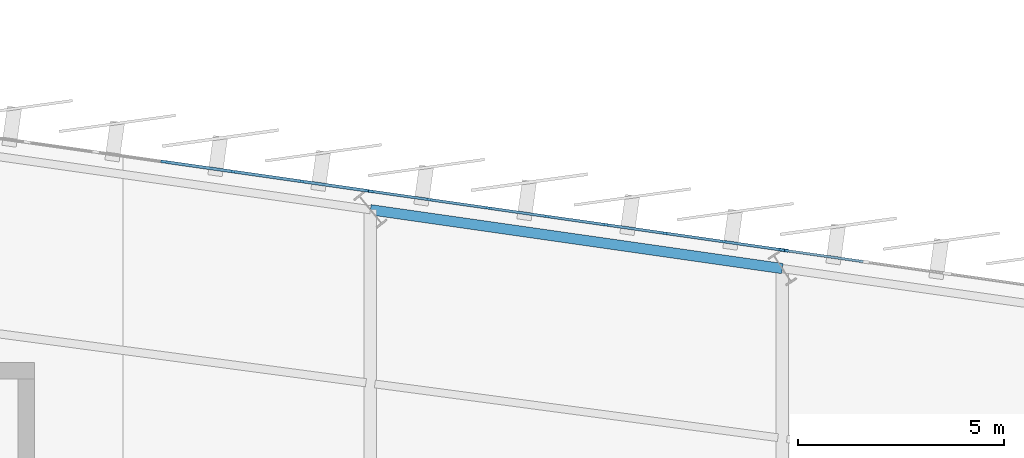
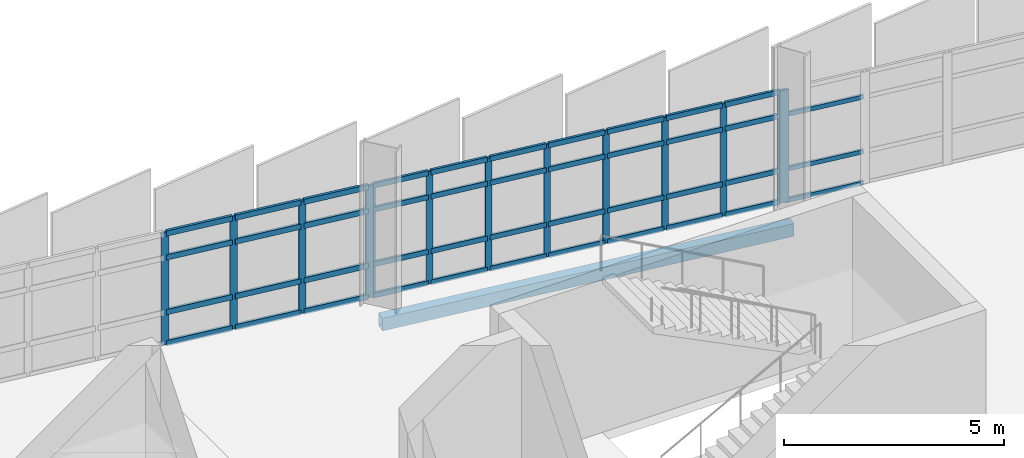
# One storey, part 76 of 125: 56 members, 1 beam, 3 elements without a shape of their own.
"""IFC4 building model written with IfcOpenShell, lengths in metres."""

from ifc_helpers import new_model, si_unit, direction, frame, origin, origin_2d, place, context, subcontext, project, spatial, rectangle, hollow_rectangle, extrude, material, layer, layer_set, material_profile, profile_set, type_object, element, aggregate, save


model = new_model("IFC4")

# Units and contexts
model_context = context("Model", 3, precision=1e-05, world=origin(), true_north=direction((0.0, 1.0)))
body_context = subcontext(model_context, "Body", "Model", "MODEL_VIEW")
ifc_project = project(units=[si_unit("LENGTHUNIT", "METRE"), si_unit("AREAUNIT", "SQUARE_METRE"), si_unit("VOLUMEUNIT", "CUBIC_METRE"), si_unit("PLANEANGLEUNIT", "RADIAN"), si_unit("MASSUNIT", "GRAM", prefix="KILO")], contexts=[model_context])

# Site, building, storey
site_placement = place(None, origin())
site = spatial("IfcSite", under=ifc_project, at=site_placement, CompositionType="ELEMENT")
building_placement = place(site_placement, origin())
building = spatial("IfcBuilding", under=site, at=building_placement, Name="Sohan Crest Arena", CompositionType="ELEMENT")
storey_placement = place(building_placement, frame((0.0, 0.0, 9.0)))
storey = spatial("IfcBuildingStorey", under=building, at=storey_placement, Name="L02", CompositionType="ELEMENT", Elevation=9.0)

# Curtain wall, members
ifc_material_1 = material(Name="Thermally broken anodised aluminium", Category="aluminium")
ifc_layer_1 = layer(ifc_material_1, 0.18994140625, Name="Thermally broken anodised aluminium")
ifc_layer_set_1 = layer_set([ifc_layer_1], Name="Thermally broken anodised aluminium")
curtain_wall_type_1 = type_object("IfcCurtainWallType", Name="ARC-CW05", PredefinedType="NOTDEFINED", material=ifc_layer_set_1)
curtain_wall_1_placement = place(storey_placement, origin())
curtain_wall_1 = element("IfcCurtainWall", 1, at=curtain_wall_1_placement, inside=storey, type_object=curtain_wall_type_1, Name="Unitised curtain wall CW-074", PredefinedType="NOTDEFINED")
ifc_material_profile_1 = material_profile(ifc_material_1, rectangle(XDim=0.06005859375, YDim=0.159912109375, at=origin_2d()), Name="ALU-MULL 60x160")
ifc_profile_set_1 = profile_set([ifc_material_profile_1], Name="Thermally broken anodised aluminium")
member_type_1 = type_object("IfcMemberType", Name="ARC-CW-ML01", PredefinedType="MULLION", material=ifc_profile_set_1)
member_1_placement = place(storey_placement, frame((157.97021484375, 117.88330078125, 0.0), z_axis=(0.0, 0.0, 1.0), x_axis=(-0.141365918403, -0.989957411768, 0.0)))
member_1 = element("IfcMember", 2, at=member_1_placement, type_object=member_type_1, Name="CW-074 mullion 1", PredefinedType="MULLION", context=body_context, shape_type="SweptSolid", body=[
    extrude(rectangle(XDim=0.06005859375, YDim=0.159912109375, at=origin_2d()), origin(), (0.0, 0.0, 1.0), 3.1201171875),
])
member_2_placement = place(storey_placement, frame((156.571533203125, 118.0830078125, 0.0), z_axis=(0.0, 0.0, 1.0), x_axis=(-0.141365918403, -0.989957411768, 0.0)))
member_2 = element("IfcMember", 3, at=member_2_placement, type_object=member_type_1, Name="CW-074 mullion 2", PredefinedType="MULLION", context=body_context, shape_type="SweptSolid", body=[
    extrude(rectangle(XDim=0.06005859375, YDim=0.159912109375, at=origin_2d()), origin(), (0.0, 0.0, 1.0), 3.1201171875),
])
member_3_placement = place(storey_placement, frame((155.142822265625, 118.287109375, 0.0), z_axis=(0.0, 0.0, 1.0), x_axis=(-0.141365918403, -0.989957411768, 0.0)))
member_3 = element("IfcMember", 4, at=member_3_placement, type_object=member_type_1, Name="CW-074 mullion 3", PredefinedType="MULLION", context=body_context, shape_type="SweptSolid", body=[
    extrude(rectangle(XDim=0.06005859375, YDim=0.159912109375, at=origin_2d()), origin(), (0.0, 0.0, 1.0), 3.1201171875),
])
member_4_placement = place(storey_placement, frame((153.71435546875, 118.490966796875, 0.0), z_axis=(0.0, 0.0, 1.0), x_axis=(-0.141365918403, -0.989957411768, 0.0)))
member_4 = element("IfcMember", 5, at=member_4_placement, type_object=member_type_1, Name="CW-074 mullion 4", PredefinedType="MULLION", context=body_context, shape_type="SweptSolid", body=[
    extrude(rectangle(XDim=0.06005859375, YDim=0.159912109375, at=origin_2d()), origin(), (0.0, 0.0, 1.0), 3.1201171875),
])
member_5_placement = place(storey_placement, frame((152.28564453125, 118.695068359375, 0.0), z_axis=(0.0, 0.0, 1.0), x_axis=(-0.141365918403, -0.989957411768, 0.0)))
member_5 = element("IfcMember", 6, at=member_5_placement, type_object=member_type_1, Name="CW-074 mullion 5", PredefinedType="MULLION", context=body_context, shape_type="SweptSolid", body=[
    extrude(rectangle(XDim=0.06005859375, YDim=0.159912109375, at=origin_2d()), origin(), (0.0, 0.0, 1.0), 3.1201171875),
])
member_6_placement = place(storey_placement, frame((150.857177734375, 118.89892578125, 0.0), z_axis=(0.0, 0.0, 1.0), x_axis=(-0.141365918403, -0.989957411768, 0.0)))
member_6 = element("IfcMember", 7, at=member_6_placement, type_object=member_type_1, Name="CW-074 mullion 6", PredefinedType="MULLION", context=body_context, shape_type="SweptSolid", body=[
    extrude(rectangle(XDim=0.06005859375, YDim=0.159912109375, at=origin_2d()), origin(), (0.0, 0.0, 1.0), 3.1201171875),
])
member_7_placement = place(storey_placement, frame((149.428466796875, 119.10302734375, 0.0), z_axis=(0.0, 0.0, 1.0), x_axis=(-0.141365918403, -0.989957411768, 0.0)))
member_7 = element("IfcMember", 8, at=member_7_placement, type_object=member_type_1, Name="CW-074 mullion 7", PredefinedType="MULLION", context=body_context, shape_type="SweptSolid", body=[
    extrude(rectangle(XDim=0.06005859375, YDim=0.159912109375, at=origin_2d()), origin(), (0.0, 0.0, 1.0), 3.1201171875),
])
member_8_placement = place(storey_placement, frame((148.02978515625, 119.302734375, 0.0), z_axis=(0.0, 0.0, 1.0), x_axis=(-0.141365918403, -0.989957411768, 0.0)))
member_8 = element("IfcMember", 9, at=member_8_placement, type_object=member_type_1, Name="CW-074 mullion 8", PredefinedType="MULLION", context=body_context, shape_type="SweptSolid", body=[
    extrude(rectangle(XDim=0.06005859375, YDim=0.159912109375, at=origin_2d()), origin(), (0.0, 0.0, 1.0), 3.1201171875),
])

ifc_layer_2 = layer(ifc_material_1, 0.2099609375, Name="Thermally broken anodised aluminium")
ifc_layer_set_2 = layer_set([ifc_layer_2], Name="Thermally broken anodised aluminium")
curtain_wall_type_2 = type_object("IfcCurtainWallType", Name="ARC-CW06", PredefinedType="NOTDEFINED", material=ifc_layer_set_2)
curtain_wall_2_placement = place(storey_placement, origin())
curtain_wall_2 = element("IfcCurtainWall", 10, at=curtain_wall_2_placement, inside=storey, type_object=curtain_wall_type_2, Name="Unitised curtain wall CW-075", PredefinedType="NOTDEFINED")
ifc_material_profile_2 = material_profile(ifc_material_1, rectangle(XDim=0.06494140625, YDim=0.179931640625, at=origin_2d()), Name="ALU-MULL 65x180")
ifc_profile_set_2 = profile_set([ifc_material_profile_2], Name="Thermally broken anodised aluminium")
member_type_2 = type_object("IfcMemberType", Name="ARC-CW-ML02", PredefinedType="MULLION", material=ifc_profile_set_2)
member_9_placement = place(storey_placement, frame((147.9677734375, 119.3115234375, 0.0), z_axis=(0.0, 0.0, 1.0), x_axis=(-0.141462933734, -0.989943553128, 0.0)))
member_9 = element("IfcMember", 11, at=member_9_placement, type_object=member_type_2, Name="CW-075 mullion 1", PredefinedType="MULLION", context=body_context, shape_type="SweptSolid", body=[
    extrude(rectangle(XDim=0.06494140625, YDim=0.179931640625, at=origin_2d()), origin(), (0.0, 0.0, 1.0), 3.1201171875),
])
member_10_placement = place(storey_placement, frame((146.333251953125, 119.545166015625, 0.0), z_axis=(0.0, 0.0, 1.0), x_axis=(-0.141462933734, -0.989943553128, 0.0)))
member_10 = element("IfcMember", 12, at=member_10_placement, type_object=member_type_2, Name="CW-075 mullion 2", PredefinedType="MULLION", context=body_context, shape_type="SweptSolid", body=[
    extrude(rectangle(XDim=0.06494140625, YDim=0.179931640625, at=origin_2d()), origin(), (0.0, 0.0, 1.0), 3.1201171875),
])
member_11_placement = place(storey_placement, frame((144.666748046875, 119.783447265625, 0.0), z_axis=(0.0, 0.0, 1.0), x_axis=(-0.141462933734, -0.989943553128, 0.0)))
member_11 = element("IfcMember", 13, at=member_11_placement, type_object=member_type_2, Name="CW-075 mullion 3", PredefinedType="MULLION", context=body_context, shape_type="SweptSolid", body=[
    extrude(rectangle(XDim=0.06494140625, YDim=0.179931640625, at=origin_2d()), origin(), (0.0, 0.0, 1.0), 3.1201171875),
])
member_12_placement = place(storey_placement, frame((143.0, 120.021484375, 0.0), z_axis=(0.0, 0.0, 1.0), x_axis=(-0.141462933734, -0.989943553128, 0.0)))
member_12 = element("IfcMember", 14, at=member_12_placement, type_object=member_type_2, Name="CW-075 mullion 4", PredefinedType="MULLION", context=body_context, shape_type="SweptSolid", body=[
    extrude(rectangle(XDim=0.06494140625, YDim=0.179931640625, at=origin_2d()), origin(), (0.0, 0.0, 1.0), 3.1201171875),
])

ifc_layer_3 = layer(ifc_material_1, 0.239990234375, Name="Thermally broken anodised aluminium")
ifc_layer_set_3 = layer_set([ifc_layer_3], Name="Thermally broken anodised aluminium")
curtain_wall_type_3 = type_object("IfcCurtainWallType", Name="ARC-CW04", PredefinedType="NOTDEFINED", material=ifc_layer_set_3)
curtain_wall_3_placement = place(storey_placement, origin())
curtain_wall_3 = element("IfcCurtainWall", 15, at=curtain_wall_3_placement, inside=storey, type_object=curtain_wall_type_3, Name="Unitised curtain wall CW-073", PredefinedType="NOTDEFINED")
ifc_material_profile_3 = material_profile(ifc_material_1, rectangle(XDim=0.074951171875, YDim=0.219970703125, at=origin_2d()), Name="ALU-MULL 75x220")
ifc_profile_set_3 = profile_set([ifc_material_profile_3], Name="Thermally broken anodised aluminium")
member_type_3 = type_object("IfcMemberType", Name="ARC-CW-ML04", PredefinedType="MULLION", material=ifc_profile_set_3)
member_13_placement = place(storey_placement, frame((158.037109375, 117.873779296875, 0.0), z_axis=(0.0, 0.0, 1.0), x_axis=(-0.141462933734, -0.989943553128, 0.0)))
member_13 = element("IfcMember", 16, at=member_13_placement, type_object=member_type_3, Name="CW-073 mullion 6", PredefinedType="MULLION", context=body_context, shape_type="SweptSolid", body=[
    extrude(rectangle(XDim=0.074951171875, YDim=0.219970703125, at=origin_2d()), origin(), (0.0, 0.0, 1.0), 3.1201171875),
])
ifc_material_profile_4 = material_profile(ifc_material_1, rectangle(XDim=0.06005859375, YDim=0.1201171875, at=origin_2d()), Name="ALU-TRAN 60x120")
ifc_profile_set_4 = profile_set([ifc_material_profile_4], Name="Thermally broken anodised aluminium")
member_type_4 = type_object("IfcMemberType", Name="ARC-CW-TR01", PredefinedType="USERDEFINED", material=ifc_profile_set_4)
member_14_placement = place(storey_placement, frame((159.962890625, 117.598388671875, 0.030029296875), z_axis=(-0.989934132074, 0.141528845666, 0.0), x_axis=(-0.141528845666, -0.989934132074, 0.0)))
member_14 = element("IfcMember", 17, at=member_14_placement, type_object=member_type_4, Name="CW-073 transom 5.1", ObjectType="TRANSOM", PredefinedType="USERDEFINED", context=body_context, shape_type="SweptSolid", body=[
    extrude(rectangle(XDim=0.06005859375, YDim=0.1201171875, at=origin_2d()), origin(), (0.0, 0.0, 1.0), 1.907958984375),
])
member_15_placement = place(storey_placement, frame((159.962890625, 117.598388671875, 0.89990234375), z_axis=(-0.989934132074, 0.141528845666, 0.0), x_axis=(-0.141528845666, -0.989934132074, 0.0)))
member_15 = element("IfcMember", 18, at=member_15_placement, type_object=member_type_4, Name="CW-073 transom 5.2", ObjectType="TRANSOM", PredefinedType="USERDEFINED", context=body_context, shape_type="SweptSolid", body=[
    extrude(rectangle(XDim=0.06005859375, YDim=0.1201171875, at=origin_2d()), origin(), (0.0, 0.0, 1.0), 1.907958984375),
])
member_16_placement = place(storey_placement, frame((159.962890625, 117.598388671875, 2.419921875), z_axis=(-0.989934132074, 0.141528845666, 0.0), x_axis=(-0.141528845666, -0.989934132074, 0.0)))
member_16 = element("IfcMember", 19, at=member_16_placement, type_object=member_type_4, Name="CW-073 transom 5.3", ObjectType="TRANSOM", PredefinedType="USERDEFINED", context=body_context, shape_type="SweptSolid", body=[
    extrude(rectangle(XDim=0.06005859375, YDim=0.1201171875, at=origin_2d()), origin(), (0.0, 0.0, 1.0), 1.907958984375),
])
aggregate(curtain_wall_3, [member_13, member_14, member_15, member_16])

# Member
ifc_material_profile_5 = material_profile(ifc_material_1, rectangle(XDim=0.06494140625, YDim=0.139892578125, at=origin_2d()), Name="ALU-TRAN 65x140")
ifc_profile_set_5 = profile_set([ifc_material_profile_5], Name="Thermally broken anodised aluminium")
member_type_5 = type_object("IfcMemberType", Name="ARC-CW-TR02", PredefinedType="USERDEFINED", material=ifc_profile_set_5)
member_17_placement = place(storey_placement, frame((157.940673828125, 117.887451171875, 0.032470703125), z_axis=(-0.989945885007, 0.141446614515, 0.0), x_axis=(-0.141446614515, -0.989945885007, 0.0)))
member_17 = element("IfcMember", 20, at=member_17_placement, type_object=member_type_5, Name="CW-074 transom 1.1", ObjectType="TRANSOM", PredefinedType="USERDEFINED", context=body_context, shape_type="SweptSolid", body=[
    extrude(rectangle(XDim=0.06494140625, YDim=0.139892578125, at=origin_2d()), origin(), (0.0, 0.0, 1.0), 1.353271484375),
])

member_18_placement = place(storey_placement, frame((157.940673828125, 117.887451171875, 0.89990234375), z_axis=(-0.989945885007, 0.141446614515, 0.0), x_axis=(-0.141446614515, -0.989945885007, 0.0)))
member_18 = element("IfcMember", 21, at=member_18_placement, type_object=member_type_5, Name="CW-074 transom 1.2", ObjectType="TRANSOM", PredefinedType="USERDEFINED", context=body_context, shape_type="SweptSolid", body=[
    extrude(rectangle(XDim=0.06494140625, YDim=0.139892578125, at=origin_2d()), origin(), (0.0, 0.0, 1.0), 1.353271484375),
])

member_19_placement = place(storey_placement, frame((157.940673828125, 117.887451171875, 2.419921875), z_axis=(-0.989945885007, 0.141446614515, 0.0), x_axis=(-0.141446614515, -0.989945885007, 0.0)))
member_19 = element("IfcMember", 22, at=member_19_placement, type_object=member_type_5, Name="CW-074 transom 1.3", ObjectType="TRANSOM", PredefinedType="USERDEFINED", context=body_context, shape_type="SweptSolid", body=[
    extrude(rectangle(XDim=0.06494140625, YDim=0.139892578125, at=origin_2d()), origin(), (0.0, 0.0, 1.0), 1.353271484375),
])

member_20_placement = place(storey_placement, frame((157.940673828125, 117.887451171875, 3.08740234375), z_axis=(-0.989945885007, 0.141446614515, 0.0), x_axis=(-0.141446614515, -0.989945885007, 0.0)))
member_20 = element("IfcMember", 23, at=member_20_placement, type_object=member_type_5, Name="CW-074 transom 1.4", ObjectType="TRANSOM", PredefinedType="USERDEFINED", context=body_context, shape_type="SweptSolid", body=[
    extrude(rectangle(XDim=0.06494140625, YDim=0.139892578125, at=origin_2d()), origin(), (0.0, 0.0, 1.0), 1.353271484375),
])

member_21_placement = place(storey_placement, frame((156.541748046875, 118.087158203125, 0.032470703125), z_axis=(-0.989953023856, 0.141396642673, 0.0), x_axis=(-0.141396642673, -0.989953023856, 0.0)))
member_21 = element("IfcMember", 24, at=member_21_placement, type_object=member_type_5, Name="CW-074 transom 2.1", ObjectType="TRANSOM", PredefinedType="USERDEFINED", context=body_context, shape_type="SweptSolid", body=[
    extrude(rectangle(XDim=0.06494140625, YDim=0.139892578125, at=origin_2d()), origin(), (0.0, 0.0, 1.0), 1.383056640625),
])

member_22_placement = place(storey_placement, frame((156.541748046875, 118.087158203125, 0.89990234375), z_axis=(-0.989953023856, 0.141396642673, 0.0), x_axis=(-0.141396642673, -0.989953023856, 0.0)))
member_22 = element("IfcMember", 25, at=member_22_placement, type_object=member_type_5, Name="CW-074 transom 2.2", ObjectType="TRANSOM", PredefinedType="USERDEFINED", context=body_context, shape_type="SweptSolid", body=[
    extrude(rectangle(XDim=0.06494140625, YDim=0.139892578125, at=origin_2d()), origin(), (0.0, 0.0, 1.0), 1.383056640625),
])

member_23_placement = place(storey_placement, frame((156.541748046875, 118.087158203125, 2.419921875), z_axis=(-0.989953023856, 0.141396642673, 0.0), x_axis=(-0.141396642673, -0.989953023856, 0.0)))
member_23 = element("IfcMember", 26, at=member_23_placement, type_object=member_type_5, Name="CW-074 transom 2.3", ObjectType="TRANSOM", PredefinedType="USERDEFINED", context=body_context, shape_type="SweptSolid", body=[
    extrude(rectangle(XDim=0.06494140625, YDim=0.139892578125, at=origin_2d()), origin(), (0.0, 0.0, 1.0), 1.383056640625),
])

member_24_placement = place(storey_placement, frame((156.541748046875, 118.087158203125, 3.08740234375), z_axis=(-0.989953023856, 0.141396642673, 0.0), x_axis=(-0.141396642673, -0.989953023856, 0.0)))
member_24 = element("IfcMember", 27, at=member_24_placement, type_object=member_type_5, Name="CW-074 transom 2.4", ObjectType="TRANSOM", PredefinedType="USERDEFINED", context=body_context, shape_type="SweptSolid", body=[
    extrude(rectangle(XDim=0.06494140625, YDim=0.139892578125, at=origin_2d()), origin(), (0.0, 0.0, 1.0), 1.383056640625),
])

member_25_placement = place(storey_placement, frame((155.113037109375, 118.291259765625, 0.032470703125), z_axis=(-0.989953023856, 0.141396642673, 0.0), x_axis=(-0.141396642673, -0.989953023856, 0.0)))
member_25 = element("IfcMember", 28, at=member_25_placement, type_object=member_type_5, Name="CW-074 transom 3.1", ObjectType="TRANSOM", PredefinedType="USERDEFINED", context=body_context, shape_type="SweptSolid", body=[
    extrude(rectangle(XDim=0.06494140625, YDim=0.139892578125, at=origin_2d()), origin(), (0.0, 0.0, 1.0), 1.383056640625),
])

member_26_placement = place(storey_placement, frame((155.113037109375, 118.291259765625, 0.89990234375), z_axis=(-0.989953023856, 0.141396642673, 0.0), x_axis=(-0.141396642673, -0.989953023856, 0.0)))
member_26 = element("IfcMember", 29, at=member_26_placement, type_object=member_type_5, Name="CW-074 transom 3.2", ObjectType="TRANSOM", PredefinedType="USERDEFINED", context=body_context, shape_type="SweptSolid", body=[
    extrude(rectangle(XDim=0.06494140625, YDim=0.139892578125, at=origin_2d()), origin(), (0.0, 0.0, 1.0), 1.383056640625),
])

member_27_placement = place(storey_placement, frame((155.113037109375, 118.291259765625, 2.419921875), z_axis=(-0.989953023856, 0.141396642673, 0.0), x_axis=(-0.141396642673, -0.989953023856, 0.0)))
member_27 = element("IfcMember", 30, at=member_27_placement, type_object=member_type_5, Name="CW-074 transom 3.3", ObjectType="TRANSOM", PredefinedType="USERDEFINED", context=body_context, shape_type="SweptSolid", body=[
    extrude(rectangle(XDim=0.06494140625, YDim=0.139892578125, at=origin_2d()), origin(), (0.0, 0.0, 1.0), 1.383056640625),
])

member_28_placement = place(storey_placement, frame((155.113037109375, 118.291259765625, 3.08740234375), z_axis=(-0.989953023856, 0.141396642673, 0.0), x_axis=(-0.141396642673, -0.989953023856, 0.0)))
member_28 = element("IfcMember", 31, at=member_28_placement, type_object=member_type_5, Name="CW-074 transom 3.4", ObjectType="TRANSOM", PredefinedType="USERDEFINED", context=body_context, shape_type="SweptSolid", body=[
    extrude(rectangle(XDim=0.06494140625, YDim=0.139892578125, at=origin_2d()), origin(), (0.0, 0.0, 1.0), 1.383056640625),
])

member_29_placement = place(storey_placement, frame((153.6845703125, 118.495361328125, 0.032470703125), z_axis=(-0.989977718646, 0.14122364032, 0.0), x_axis=(-0.14122364032, -0.989977718646, 0.0)))
member_29 = element("IfcMember", 32, at=member_29_placement, type_object=member_type_5, Name="CW-074 transom 4.1", ObjectType="TRANSOM", PredefinedType="USERDEFINED", context=body_context, shape_type="SweptSolid", body=[
    extrude(rectangle(XDim=0.06494140625, YDim=0.139892578125, at=origin_2d()), origin(), (0.0, 0.0, 1.0), 1.383056640625),
])

member_30_placement = place(storey_placement, frame((153.6845703125, 118.495361328125, 0.89990234375), z_axis=(-0.989977718646, 0.14122364032, 0.0), x_axis=(-0.14122364032, -0.989977718646, 0.0)))
member_30 = element("IfcMember", 33, at=member_30_placement, type_object=member_type_5, Name="CW-074 transom 4.2", ObjectType="TRANSOM", PredefinedType="USERDEFINED", context=body_context, shape_type="SweptSolid", body=[
    extrude(rectangle(XDim=0.06494140625, YDim=0.139892578125, at=origin_2d()), origin(), (0.0, 0.0, 1.0), 1.383056640625),
])

member_31_placement = place(storey_placement, frame((153.6845703125, 118.495361328125, 2.419921875), z_axis=(-0.989977718646, 0.14122364032, 0.0), x_axis=(-0.14122364032, -0.989977718646, 0.0)))
member_31 = element("IfcMember", 34, at=member_31_placement, type_object=member_type_5, Name="CW-074 transom 4.3", ObjectType="TRANSOM", PredefinedType="USERDEFINED", context=body_context, shape_type="SweptSolid", body=[
    extrude(rectangle(XDim=0.06494140625, YDim=0.139892578125, at=origin_2d()), origin(), (0.0, 0.0, 1.0), 1.383056640625),
])

member_32_placement = place(storey_placement, frame((153.6845703125, 118.495361328125, 3.08740234375), z_axis=(-0.989977718646, 0.14122364032, 0.0), x_axis=(-0.14122364032, -0.989977718646, 0.0)))
member_32 = element("IfcMember", 35, at=member_32_placement, type_object=member_type_5, Name="CW-074 transom 4.4", ObjectType="TRANSOM", PredefinedType="USERDEFINED", context=body_context, shape_type="SweptSolid", body=[
    extrude(rectangle(XDim=0.06494140625, YDim=0.139892578125, at=origin_2d()), origin(), (0.0, 0.0, 1.0), 1.383056640625),
])

member_33_placement = place(storey_placement, frame((152.256103515625, 118.69921875, 0.032470703125), z_axis=(-0.989953023856, 0.141396642673, 0.0), x_axis=(-0.141396642673, -0.989953023856, 0.0)))
member_33 = element("IfcMember", 36, at=member_33_placement, type_object=member_type_5, Name="CW-074 transom 5.1", ObjectType="TRANSOM", PredefinedType="USERDEFINED", context=body_context, shape_type="SweptSolid", body=[
    extrude(rectangle(XDim=0.06494140625, YDim=0.139892578125, at=origin_2d()), origin(), (0.0, 0.0, 1.0), 1.383056640625),
])

member_34_placement = place(storey_placement, frame((152.256103515625, 118.69921875, 0.89990234375), z_axis=(-0.989953023856, 0.141396642673, 0.0), x_axis=(-0.141396642673, -0.989953023856, 0.0)))
member_34 = element("IfcMember", 37, at=member_34_placement, type_object=member_type_5, Name="CW-074 transom 5.2", ObjectType="TRANSOM", PredefinedType="USERDEFINED", context=body_context, shape_type="SweptSolid", body=[
    extrude(rectangle(XDim=0.06494140625, YDim=0.139892578125, at=origin_2d()), origin(), (0.0, 0.0, 1.0), 1.383056640625),
])

member_35_placement = place(storey_placement, frame((152.256103515625, 118.69921875, 2.419921875), z_axis=(-0.989953023856, 0.141396642673, 0.0), x_axis=(-0.141396642673, -0.989953023856, 0.0)))
member_35 = element("IfcMember", 38, at=member_35_placement, type_object=member_type_5, Name="CW-074 transom 5.3", ObjectType="TRANSOM", PredefinedType="USERDEFINED", context=body_context, shape_type="SweptSolid", body=[
    extrude(rectangle(XDim=0.06494140625, YDim=0.139892578125, at=origin_2d()), origin(), (0.0, 0.0, 1.0), 1.383056640625),
])

member_36_placement = place(storey_placement, frame((152.256103515625, 118.69921875, 3.08740234375), z_axis=(-0.989953023856, 0.141396642673, 0.0), x_axis=(-0.141396642673, -0.989953023856, 0.0)))
member_36 = element("IfcMember", 39, at=member_36_placement, type_object=member_type_5, Name="CW-074 transom 5.4", ObjectType="TRANSOM", PredefinedType="USERDEFINED", context=body_context, shape_type="SweptSolid", body=[
    extrude(rectangle(XDim=0.06494140625, YDim=0.139892578125, at=origin_2d()), origin(), (0.0, 0.0, 1.0), 1.383056640625),
])

member_37_placement = place(storey_placement, frame((150.827392578125, 118.9033203125, 0.032470703125), z_axis=(-0.989953023856, 0.141396642673, 0.0), x_axis=(-0.141396642673, -0.989953023856, 0.0)))
member_37 = element("IfcMember", 40, at=member_37_placement, type_object=member_type_5, Name="CW-074 transom 6.1", ObjectType="TRANSOM", PredefinedType="USERDEFINED", context=body_context, shape_type="SweptSolid", body=[
    extrude(rectangle(XDim=0.06494140625, YDim=0.139892578125, at=origin_2d()), origin(), (0.0, 0.0, 1.0), 1.383056640625),
])

member_38_placement = place(storey_placement, frame((150.827392578125, 118.9033203125, 0.89990234375), z_axis=(-0.989953023856, 0.141396642673, 0.0), x_axis=(-0.141396642673, -0.989953023856, 0.0)))
member_38 = element("IfcMember", 41, at=member_38_placement, type_object=member_type_5, Name="CW-074 transom 6.2", ObjectType="TRANSOM", PredefinedType="USERDEFINED", context=body_context, shape_type="SweptSolid", body=[
    extrude(rectangle(XDim=0.06494140625, YDim=0.139892578125, at=origin_2d()), origin(), (0.0, 0.0, 1.0), 1.383056640625),
])

member_39_placement = place(storey_placement, frame((150.827392578125, 118.9033203125, 2.419921875), z_axis=(-0.989953023856, 0.141396642673, 0.0), x_axis=(-0.141396642673, -0.989953023856, 0.0)))
member_39 = element("IfcMember", 42, at=member_39_placement, type_object=member_type_5, Name="CW-074 transom 6.3", ObjectType="TRANSOM", PredefinedType="USERDEFINED", context=body_context, shape_type="SweptSolid", body=[
    extrude(rectangle(XDim=0.06494140625, YDim=0.139892578125, at=origin_2d()), origin(), (0.0, 0.0, 1.0), 1.383056640625),
])

member_40_placement = place(storey_placement, frame((150.827392578125, 118.9033203125, 3.08740234375), z_axis=(-0.989953023856, 0.141396642673, 0.0), x_axis=(-0.141396642673, -0.989953023856, 0.0)))
member_40 = element("IfcMember", 43, at=member_40_placement, type_object=member_type_5, Name="CW-074 transom 6.4", ObjectType="TRANSOM", PredefinedType="USERDEFINED", context=body_context, shape_type="SweptSolid", body=[
    extrude(rectangle(XDim=0.06494140625, YDim=0.139892578125, at=origin_2d()), origin(), (0.0, 0.0, 1.0), 1.383056640625),
])

member_41_placement = place(storey_placement, frame((149.39892578125, 119.107177734375, 0.032470703125), z_axis=(-0.989945885007, 0.141446614515, 0.0), x_axis=(-0.141446614515, -0.989945885007, 0.0)))
member_41 = element("IfcMember", 44, at=member_41_placement, type_object=member_type_5, Name="CW-074 transom 7.1", ObjectType="TRANSOM", PredefinedType="USERDEFINED", context=body_context, shape_type="SweptSolid", body=[
    extrude(rectangle(XDim=0.06494140625, YDim=0.139892578125, at=origin_2d()), origin(), (0.0, 0.0, 1.0), 1.353271484375),
])

member_42_placement = place(storey_placement, frame((149.39892578125, 119.107177734375, 0.89990234375), z_axis=(-0.989945885007, 0.141446614515, 0.0), x_axis=(-0.141446614515, -0.989945885007, 0.0)))
member_42 = element("IfcMember", 45, at=member_42_placement, type_object=member_type_5, Name="CW-074 transom 7.2", ObjectType="TRANSOM", PredefinedType="USERDEFINED", context=body_context, shape_type="SweptSolid", body=[
    extrude(rectangle(XDim=0.06494140625, YDim=0.139892578125, at=origin_2d()), origin(), (0.0, 0.0, 1.0), 1.353271484375),
])

member_43_placement = place(storey_placement, frame((149.39892578125, 119.107177734375, 2.419921875), z_axis=(-0.989945885007, 0.141446614515, 0.0), x_axis=(-0.141446614515, -0.989945885007, 0.0)))
member_43 = element("IfcMember", 46, at=member_43_placement, type_object=member_type_5, Name="CW-074 transom 7.3", ObjectType="TRANSOM", PredefinedType="USERDEFINED", context=body_context, shape_type="SweptSolid", body=[
    extrude(rectangle(XDim=0.06494140625, YDim=0.139892578125, at=origin_2d()), origin(), (0.0, 0.0, 1.0), 1.353271484375),
])

member_44_placement = place(storey_placement, frame((149.39892578125, 119.107177734375, 3.08740234375), z_axis=(-0.989945885007, 0.141446614515, 0.0), x_axis=(-0.141446614515, -0.989945885007, 0.0)))
member_44 = element("IfcMember", 47, at=member_44_placement, type_object=member_type_5, Name="CW-074 transom 7.4", ObjectType="TRANSOM", PredefinedType="USERDEFINED", context=body_context, shape_type="SweptSolid", body=[
    extrude(rectangle(XDim=0.06494140625, YDim=0.139892578125, at=origin_2d()), origin(), (0.0, 0.0, 1.0), 1.353271484375),
])

aggregate(curtain_wall_1, [member_1, member_2, member_3, member_4, member_5, member_6, member_7, member_8, member_17, member_18, member_19, member_20, member_21, member_22, member_23, member_24, member_25, member_26, member_27, member_28, member_29, member_30, member_31, member_32, member_33, member_34, member_35, member_36, member_37, member_38, member_39, member_40, member_41, member_42, member_43, member_44])

ifc_material_profile_6 = material_profile(ifc_material_1, rectangle(XDim=0.070068359375, YDim=0.14990234375, at=origin_2d()), Name="ALU-TRAN 70x150")
ifc_profile_set_6 = profile_set([ifc_material_profile_6], Name="Thermally broken anodised aluminium")
member_type_6 = type_object("IfcMemberType", Name="ARC-CW-TR03", PredefinedType="USERDEFINED", material=ifc_profile_set_6)
member_45_placement = place(storey_placement, frame((147.935546875, 119.316162109375, 0.034912109375), z_axis=(-0.989943335402, 0.141464457353, 0.0), x_axis=(-0.141464457353, -0.989943335402, 0.0)))
member_45 = element("IfcMember", 48, at=member_45_placement, type_object=member_type_6, Name="CW-075 transom 1.1", ObjectType="TRANSOM", PredefinedType="USERDEFINED", context=body_context, shape_type="SweptSolid", body=[
    extrude(rectangle(XDim=0.070068359375, YDim=0.14990234375, at=origin_2d()), origin(), (0.0, 0.0, 1.0), 1.5859375),
])

member_46_placement = place(storey_placement, frame((147.935546875, 119.316162109375, 0.89990234375), z_axis=(-0.989943335402, 0.141464457353, 0.0), x_axis=(-0.141464457353, -0.989943335402, 0.0)))
member_46 = element("IfcMember", 49, at=member_46_placement, type_object=member_type_6, Name="CW-075 transom 1.2", ObjectType="TRANSOM", PredefinedType="USERDEFINED", context=body_context, shape_type="SweptSolid", body=[
    extrude(rectangle(XDim=0.070068359375, YDim=0.14990234375, at=origin_2d()), origin(), (0.0, 0.0, 1.0), 1.5859375),
])

member_47_placement = place(storey_placement, frame((147.935546875, 119.316162109375, 2.419921875), z_axis=(-0.989943335402, 0.141464457353, 0.0), x_axis=(-0.141464457353, -0.989943335402, 0.0)))
member_47 = element("IfcMember", 50, at=member_47_placement, type_object=member_type_6, Name="CW-075 transom 1.3", ObjectType="TRANSOM", PredefinedType="USERDEFINED", context=body_context, shape_type="SweptSolid", body=[
    extrude(rectangle(XDim=0.070068359375, YDim=0.14990234375, at=origin_2d()), origin(), (0.0, 0.0, 1.0), 1.5859375),
])

member_48_placement = place(storey_placement, frame((147.935546875, 119.316162109375, 3.0849609375), z_axis=(-0.989943335402, 0.141464457353, 0.0), x_axis=(-0.141464457353, -0.989943335402, 0.0)))
member_48 = element("IfcMember", 51, at=member_48_placement, type_object=member_type_6, Name="CW-075 transom 1.4", ObjectType="TRANSOM", PredefinedType="USERDEFINED", context=body_context, shape_type="SweptSolid", body=[
    extrude(rectangle(XDim=0.070068359375, YDim=0.14990234375, at=origin_2d()), origin(), (0.0, 0.0, 1.0), 1.5859375),
])

member_49_placement = place(storey_placement, frame((146.30126953125, 119.5498046875, 0.034912109375), z_axis=(-0.989943460198, 0.141463584044, 0.0), x_axis=(-0.141463584044, -0.989943460198, 0.0)))
member_49 = element("IfcMember", 52, at=member_49_placement, type_object=member_type_6, Name="CW-075 transom 2.1", ObjectType="TRANSOM", PredefinedType="USERDEFINED", context=body_context, shape_type="SweptSolid", body=[
    extrude(rectangle(XDim=0.070068359375, YDim=0.14990234375, at=origin_2d()), origin(), (0.0, 0.0, 1.0), 1.618896484375),
])

member_50_placement = place(storey_placement, frame((146.30126953125, 119.5498046875, 0.89990234375), z_axis=(-0.989943460198, 0.141463584044, 0.0), x_axis=(-0.141463584044, -0.989943460198, 0.0)))
member_50 = element("IfcMember", 53, at=member_50_placement, type_object=member_type_6, Name="CW-075 transom 2.2", ObjectType="TRANSOM", PredefinedType="USERDEFINED", context=body_context, shape_type="SweptSolid", body=[
    extrude(rectangle(XDim=0.070068359375, YDim=0.14990234375, at=origin_2d()), origin(), (0.0, 0.0, 1.0), 1.618896484375),
])

member_51_placement = place(storey_placement, frame((146.30126953125, 119.5498046875, 2.419921875), z_axis=(-0.989943460198, 0.141463584044, 0.0), x_axis=(-0.141463584044, -0.989943460198, 0.0)))
member_51 = element("IfcMember", 54, at=member_51_placement, type_object=member_type_6, Name="CW-075 transom 2.3", ObjectType="TRANSOM", PredefinedType="USERDEFINED", context=body_context, shape_type="SweptSolid", body=[
    extrude(rectangle(XDim=0.070068359375, YDim=0.14990234375, at=origin_2d()), origin(), (0.0, 0.0, 1.0), 1.618896484375),
])

member_52_placement = place(storey_placement, frame((146.30126953125, 119.5498046875, 3.0849609375), z_axis=(-0.989943460198, 0.141463584044, 0.0), x_axis=(-0.141463584044, -0.989943460198, 0.0)))
member_52 = element("IfcMember", 55, at=member_52_placement, type_object=member_type_6, Name="CW-075 transom 2.4", ObjectType="TRANSOM", PredefinedType="USERDEFINED", context=body_context, shape_type="SweptSolid", body=[
    extrude(rectangle(XDim=0.070068359375, YDim=0.14990234375, at=origin_2d()), origin(), (0.0, 0.0, 1.0), 1.618896484375),
])

member_53_placement = place(storey_placement, frame((144.634521484375, 119.787841796875, 0.034912109375), z_axis=(-0.98994044144, 0.141484707309, 0.0), x_axis=(-0.141484707309, -0.98994044144, 0.0)))
member_53 = element("IfcMember", 56, at=member_53_placement, type_object=member_type_6, Name="CW-075 transom 3.1", ObjectType="TRANSOM", PredefinedType="USERDEFINED", context=body_context, shape_type="SweptSolid", body=[
    extrude(rectangle(XDim=0.070068359375, YDim=0.14990234375, at=origin_2d()), origin(), (0.0, 0.0, 1.0), 1.61865234375),
])

member_54_placement = place(storey_placement, frame((144.634521484375, 119.787841796875, 0.89990234375), z_axis=(-0.98994044144, 0.141484707309, 0.0), x_axis=(-0.141484707309, -0.98994044144, 0.0)))
member_54 = element("IfcMember", 57, at=member_54_placement, type_object=member_type_6, Name="CW-075 transom 3.2", ObjectType="TRANSOM", PredefinedType="USERDEFINED", context=body_context, shape_type="SweptSolid", body=[
    extrude(rectangle(XDim=0.070068359375, YDim=0.14990234375, at=origin_2d()), origin(), (0.0, 0.0, 1.0), 1.61865234375),
])

member_55_placement = place(storey_placement, frame((144.634521484375, 119.787841796875, 2.419921875), z_axis=(-0.98994044144, 0.141484707309, 0.0), x_axis=(-0.141484707309, -0.98994044144, 0.0)))
member_55 = element("IfcMember", 58, at=member_55_placement, type_object=member_type_6, Name="CW-075 transom 3.3", ObjectType="TRANSOM", PredefinedType="USERDEFINED", context=body_context, shape_type="SweptSolid", body=[
    extrude(rectangle(XDim=0.070068359375, YDim=0.14990234375, at=origin_2d()), origin(), (0.0, 0.0, 1.0), 1.61865234375),
])

member_56_placement = place(storey_placement, frame((144.634521484375, 119.787841796875, 3.0849609375), z_axis=(-0.98994044144, 0.141484707309, 0.0), x_axis=(-0.141484707309, -0.98994044144, 0.0)))
member_56 = element("IfcMember", 59, at=member_56_placement, type_object=member_type_6, Name="CW-075 transom 3.4", ObjectType="TRANSOM", PredefinedType="USERDEFINED", context=body_context, shape_type="SweptSolid", body=[
    extrude(rectangle(XDim=0.070068359375, YDim=0.14990234375, at=origin_2d()), origin(), (0.0, 0.0, 1.0), 1.61865234375),
])

aggregate(curtain_wall_2, [member_9, member_10, member_11, member_12, member_45, member_46, member_47, member_48, member_49, member_50, member_51, member_52, member_53, member_54, member_55, member_56])

# Beam
ifc_material_2 = material(Name="Steel S355", Category="steel")
ifc_material_profile_7 = material_profile(ifc_material_2, hollow_rectangle(XDim=0.25, YDim=0.35009765625, WallThickness=0.012451171875, at=origin_2d()), Name="RHS 350x250x12.5")
ifc_profile_set_7 = profile_set([ifc_material_profile_7], Name="Steel S355")
beam_type = type_object("IfcBeamType", Name="STR-BM-SP04", PredefinedType="SPANDREL", material=ifc_profile_set_7)
beam_placement = place(storey_placement, frame((158.0, 117.428955078125, -0.425048828125), z_axis=(-0.989957709412, 0.141363834042, 0.0), x_axis=(-0.141363834042, -0.989957709412, 0.0)))
element("IfcBeam", 60, at=beam_placement, inside=storey, type_object=beam_type, Name="Structural beam SP-L02-1373", PredefinedType="SPANDREL", context=body_context, shape_type="SweptSolid", body=[
    extrude(hollow_rectangle(XDim=0.25, YDim=0.35009765625, WallThickness=0.012451171875, at=origin_2d()), origin(), (0.0, 0.0, 1.0), 10.1015625),
])

save(model, "model.ifc")
